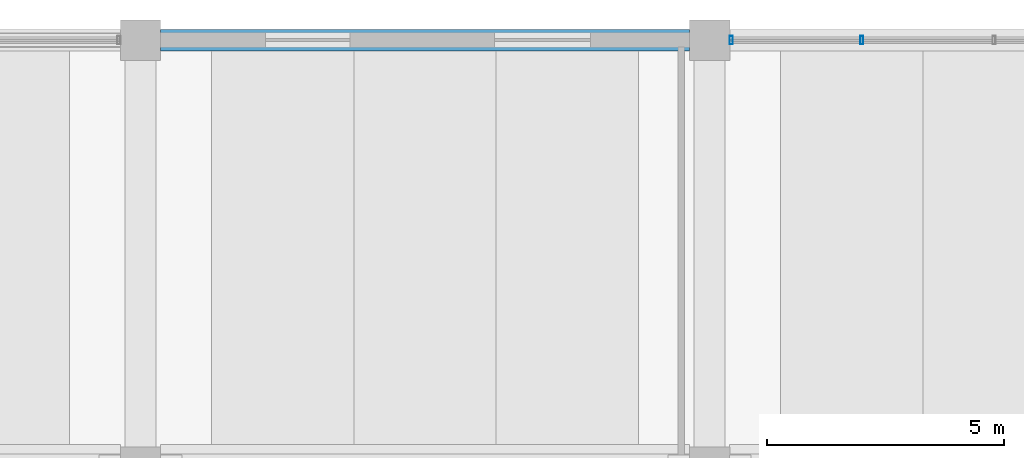
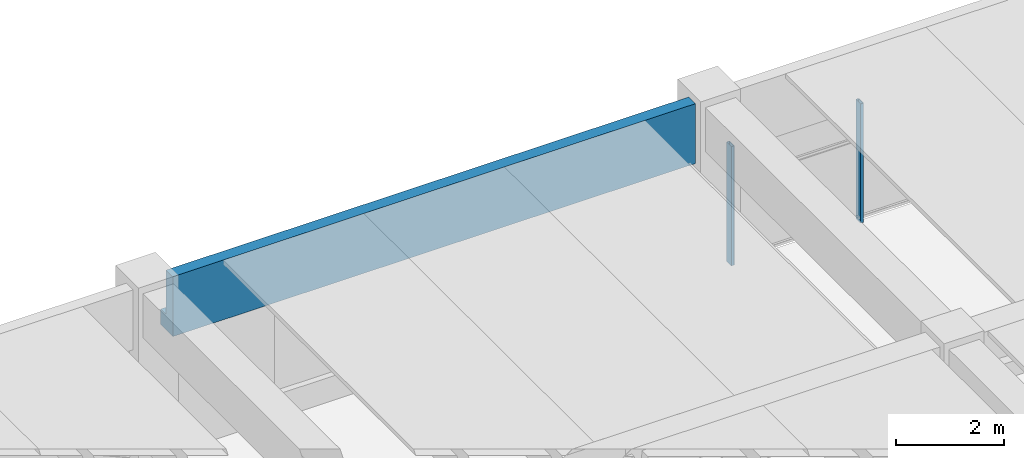
# One storey, part 17 of 50: 2 members, 1 beam, 1 element without a shape of its own.
"""IFC4 building model written with IfcOpenShell, lengths in metres."""

from ifc_helpers import new_model, si_unit, direction, frame, origin, origin_2d, place, context, subcontext, project, spatial, polyline, hollow_rectangle, outline, extrude, material, material_profile, profile_set, type_object, element, aggregate, save


model = new_model("IFC4")

# Units and contexts
model_context = context("Model", 3, precision=1e-05, world=origin(), true_north=direction((0.0, 1.0)))
body_context = subcontext(model_context, "Body", "Model", "MODEL_VIEW")
ifc_project = project(units=[si_unit("LENGTHUNIT", "METRE"), si_unit("AREAUNIT", "SQUARE_METRE"), si_unit("VOLUMEUNIT", "CUBIC_METRE"), si_unit("PLANEANGLEUNIT", "RADIAN"), si_unit("MASSUNIT", "GRAM", prefix="KILO")], contexts=[model_context])

# Site, building, storey
site_placement = place(None, origin())
site = spatial("IfcSite", under=ifc_project, at=site_placement, CompositionType="ELEMENT")
building_placement = place(site_placement, origin())
building = spatial("IfcBuilding", under=site, at=building_placement, Name="Girod Span Mobility Hub", CompositionType="ELEMENT")
storey_placement = place(building_placement, frame((0.0, 0.0, 5.39990234375)))
storey = spatial("IfcBuildingStorey", under=building, at=storey_placement, Name="L01", CompositionType="ELEMENT", Elevation=5.39990234375)

# Beam
ifc_material_1 = material(Name="Concrete C40/50", Category="concrete")
ifc_material_profile_1 = material_profile(ifc_material_1, outline(polyline([(-0.22509765625, -0.675048828125), (0.22509765625, -0.675048828125), (0.22509765625, -0.324951171875), (0.02490234375, -0.324951171875), (0.02490234375, 0.675048828125), (-0.22509765625, 0.675048828125), (-0.22509765625, -0.675048828125)])), Name="SP-450X1350")
ifc_profile_set_1 = profile_set([ifc_material_profile_1], Name="Concrete C40/50")
beam_type = type_object("IfcBeamType", Name="BM-SP-450X1350", PredefinedType="SPANDREL", material=ifc_profile_set_1)
beam_placement = place(storey_placement, frame((48.422119140625, 114.0, 3.364990234375), z_axis=(1.0, 0.0, 0.0), x_axis=(0.0, 1.0, 0.0)))
element("IfcBeam", 1, at=beam_placement, inside=storey, type_object=beam_type, Name="Girder 5-6/J L01", PredefinedType="SPANDREL", context=body_context, shape_type="SweptSolid", body=[
    extrude(outline(polyline([(-0.22509765625, -0.675048828125), (0.22509765625, -0.675048828125), (0.22509765625, -0.324951171875), (0.02490234375, -0.324951171875), (0.02490234375, 0.675048828125), (-0.22509765625, 0.675048828125), (-0.22509765625, -0.675048828125)])), origin(), (0.0, 0.0, 1.0), 11.15576171875),
])

# Curtain wall, members
ifc_material_2 = material(Name="Thermally Broken Anodised Aluminium", Category="aluminium")
curtain_wall_type = type_object("IfcCurtainWallType", Name="CW-1115X269", PredefinedType="USERDEFINED", material=ifc_material_2)
curtain_wall_placement = place(storey_placement, origin())
curtain_wall = element("IfcCurtainWall", 2, at=curtain_wall_placement, inside=storey, type_object=curtain_wall_type, Name="Concourse Storefront CW-L01-N06 L01", ObjectType="CONCOURSE STOREFRONT", PredefinedType="USERDEFINED")
ifc_material_3 = material(Name="Thermally Broken Anodised Aluminium", Category="aluminium")
ifc_material_profile_2 = material_profile(ifc_material_3, hollow_rectangle(XDim=0.179931640625, YDim=0.06494140625, WallThickness=0.00390625, InnerFilletRadius=0.00390625, OuterFilletRadius=0.008056640625, at=origin_2d()), Name="CW-ML-65X180")
ifc_profile_set_2 = profile_set([ifc_material_profile_2], Name="Thermally Broken Anodised Aluminium")
member_type = type_object("IfcMemberType", Name="CWM-ML-2", PredefinedType="MULLION", material=ifc_profile_set_2)
member_1_placement = place(storey_placement, frame((60.455078125, 114.0, 0.0), z_axis=(0.0, 0.0, 1.0), x_axis=(0.0, 1.0, 0.0)))
member_1 = element("IfcMember", 3, at=member_1_placement, type_object=member_type, Name="Curtain Wall Mullion CW-L01-N06-M0", PredefinedType="MULLION", context=body_context, shape_type="SweptSolid", body=[
    extrude(hollow_rectangle(XDim=0.179931640625, YDim=0.06494140625, WallThickness=0.00390625, InnerFilletRadius=0.00390625, OuterFilletRadius=0.008056640625, at=origin_2d()), origin(), (0.0, 0.0, 1.0), 2.690185546875),
])
member_2_placement = place(storey_placement, frame((63.21142578125, 114.0, 0.0), z_axis=(0.0, 0.0, 1.0), x_axis=(0.0, 1.0, 0.0)))
member_2 = element("IfcMember", 4, at=member_2_placement, type_object=member_type, Name="Curtain Wall Mullion CW-L01-N06-M1", PredefinedType="MULLION", context=body_context, shape_type="SweptSolid", body=[
    extrude(hollow_rectangle(XDim=0.179931640625, YDim=0.06494140625, WallThickness=0.00390625, InnerFilletRadius=0.00390625, OuterFilletRadius=0.008056640625, at=origin_2d()), origin(), (0.0, 0.0, 1.0), 2.690185546875),
])
aggregate(curtain_wall, [member_1, member_2])

save(model, "model.ifc")
